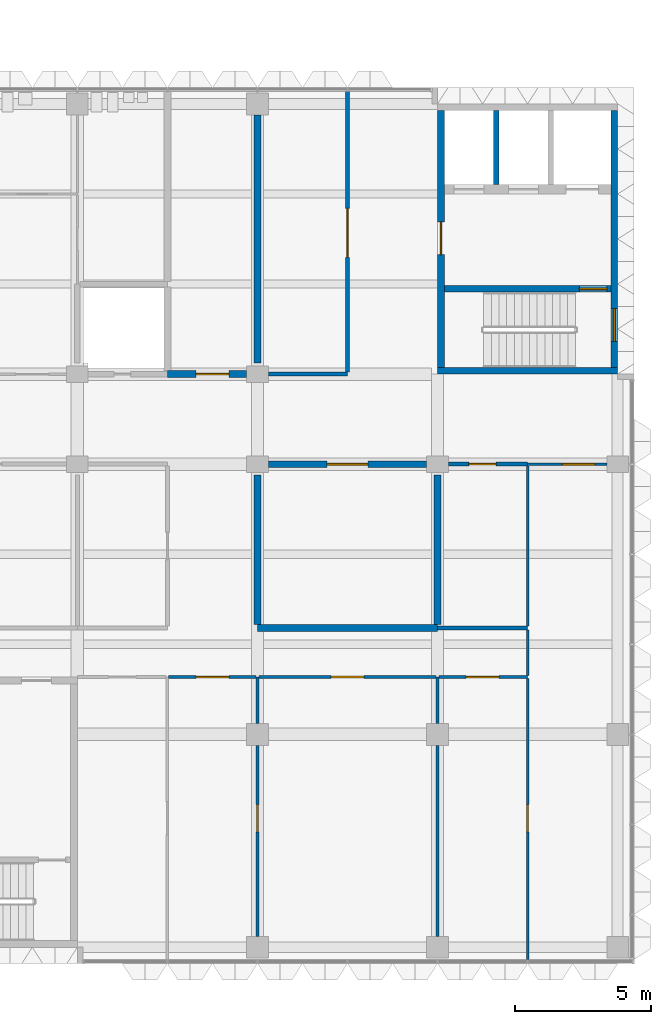
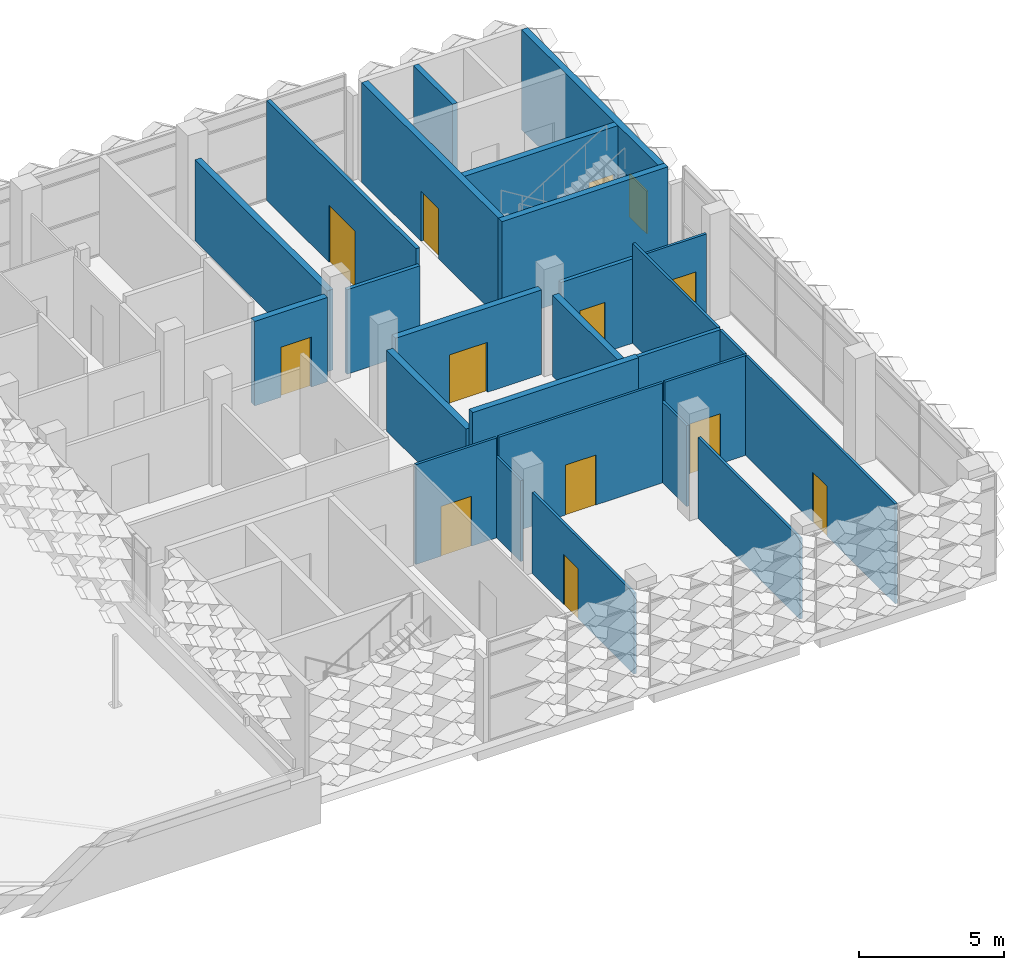
# One storey, part 13 of 39: 26 walls, 12 doors, 1 window, 13 openings.
"""IFC4 building model written with IfcOpenShell, lengths in metres."""

from ifc_helpers import new_model, si_unit, direction, frame, frame_2d, origin, place, context, subcontext, project, spatial, rectangle, extrude, material, layer, layer_set, type_object, element, fill, save


model = new_model("IFC4")

# Units and contexts
model_context = context("Model", 3, precision=1e-05, world=origin(), true_north=direction((0.0, 1.0)))
body_context = subcontext(model_context, "Body", "Model", "MODEL_VIEW")
ifc_project = project(units=[si_unit("LENGTHUNIT", "METRE"), si_unit("AREAUNIT", "SQUARE_METRE"), si_unit("VOLUMEUNIT", "CUBIC_METRE"), si_unit("PLANEANGLEUNIT", "RADIAN"), si_unit("MASSUNIT", "GRAM", prefix="KILO")], contexts=[model_context])

# Site, building, storey
site_placement = place(None, origin())
site = spatial("IfcSite", under=ifc_project, at=site_placement, CompositionType="ELEMENT")
building_placement = place(site_placement, origin())
building = spatial("IfcBuilding", under=site, at=building_placement, Name="Lantern Court Research Institute", CompositionType="ELEMENT")
storey_placement = place(building_placement, frame((0.0, 0.0, 27.89990234375)))
storey = spatial("IfcBuildingStorey", under=building, at=storey_placement, Name="L06", CompositionType="ELEMENT", Elevation=27.89990234375)

# Wall, opening, door
ifc_material_1 = material(Name="Insulated metal-faced clean-room panel")
ifc_layer_1 = layer(ifc_material_1, 0.10009765625)
ifc_layer_set_1 = layer_set([ifc_layer_1], Name="Insulated metal-faced clean-room panel")
wall_type_1 = type_object("IfcWallType", Name="Clean-room panel 100 EI 30", PredefinedType="PARTITIONING", material=ifc_layer_set_1)
wall_1_placement = place(storey_placement, frame((78.800048828125, 9.89990234375, 0.0), z_axis=(0.0, 0.0, 1.0), x_axis=(-1.0, 0.0, 0.0)))
wall_1 = element("IfcWall", 1, at=wall_1_placement, inside=storey, type_object=wall_type_1, Name="Clean-room panel 100 EI 30", PredefinedType="PARTITIONING", context=body_context, shape_type="SweptSolid", body=[
    extrude(rectangle(XDim=2.900146484375, YDim=0.10009765625, at=frame_2d((1.4501953125, 0.0))), origin(), (0.0, 0.0, 1.0), 3.550048828125),
])
opening_1_placement = place(wall_1_placement, frame((0.425048828125, 0.0, 0.0)))
opening_1 = element("IfcOpeningElement", 2, at=opening_1_placement, cuts=wall_1, Name="Opening D5619", PredefinedType="OPENING", context=body_context, shape_type="SweptSolid", body=[
    extrude(rectangle(XDim=1.199951171875, YDim=2.10009765625, at=frame_2d((0.60009765625, 1.050048828125))), frame((0.0, 0.06005859375, 0.0), z_axis=(0.0, -1.0, 0.0), x_axis=(1.0, 0.0, 0.0)), (0.0, 0.0, 1.0), 0.1201171875),
])
ifc_material_2 = material(Name="Solid-core timber door leaf", Category="wood")
ifc_layer_2 = layer(ifc_material_2, 0.06005859375)
ifc_layer_set_2 = layer_set([ifc_layer_2], Name="Solid-core timber door leaf")
door_type_1 = type_object("IfcDoorType", Name="Clean room emergency exit door 1200 x 2100 single FD60", OperationType="NOTDEFINED", PredefinedType="DOOR", material=ifc_layer_set_2)
door_1_placement = place(opening_1_placement, origin())
door_1 = element("IfcDoor", 3, at=door_1_placement, inside=storey, type_object=door_type_1, Name="Door D5619", OperationType="SINGLE_SWING_RIGHT", OverallHeight=2.10009765625, OverallWidth=1.199951171875, PredefinedType="DOOR", context=body_context, shape_type="SweptSolid", body=[
    extrude(rectangle(XDim=1.199951171875, YDim=2.10009765625, at=frame_2d((0.60009765625, 1.050048828125))), frame((0.0, 0.030029296875, 0.0), z_axis=(0.0, -1.0, 0.0), x_axis=(1.0, 0.0, 0.0)), (0.0, 0.0, 1.0), 0.06005859375),
])
fill(opening_1, door_1)

wall_2_placement = place(storey_placement, frame((66.0, -0.39990234375, 0.0), z_axis=(0.0, 0.0, 1.0), x_axis=(0.0, -1.0, 0.0)))
wall_2 = element("IfcWall", 4, at=wall_2_placement, inside=storey, type_object=wall_type_1, Name="Clean-room panel 100 EI 30", PredefinedType="PARTITIONING", context=body_context, shape_type="SweptSolid", body=[
    extrude(rectangle(XDim=7.0, YDim=0.10009765625, at=frame_2d((3.5, 0.0))), origin(), (0.0, 0.0, 1.0), 3.400146484375),
])
opening_2_placement = place(wall_2_placement, frame((2.175048828125, 0.0, 0.0)))
opening_2 = element("IfcOpeningElement", 5, at=opening_2_placement, cuts=wall_2, Name="Opening D5613", PredefinedType="OPENING", context=body_context, shape_type="SweptSolid", body=[
    extrude(rectangle(XDim=1.0, YDim=2.10009765625, at=frame_2d((0.5, 1.050048828125))), frame((0.0, 0.06005859375, 0.0), z_axis=(0.0, -1.0, 0.0), x_axis=(1.0, 0.0, 0.0)), (0.0, 0.0, 1.0), 0.1201171875),
])
ifc_material_3 = material(Name="Solid-core timber door leaf with vision panel", Category="wood")
ifc_layer_3 = layer(ifc_material_3, 0.053955078125)
ifc_layer_set_3 = layer_set([ifc_layer_3], Name="Solid-core timber door leaf with vision panel")
door_type_2 = type_object("IfcDoorType", Name="Clean room door 1000 x 2100 single FD30S", OperationType="NOTDEFINED", PredefinedType="DOOR", material=ifc_layer_set_3)
door_2_placement = place(opening_2_placement, origin())
door_2 = element("IfcDoor", 6, at=door_2_placement, inside=storey, type_object=door_type_2, Name="Door D5613", OperationType="SINGLE_SWING_RIGHT", OverallHeight=2.10009765625, OverallWidth=1.0, PredefinedType="DOOR", context=body_context, shape_type="SweptSolid", body=[
    extrude(rectangle(XDim=1.0, YDim=2.10009765625, at=frame_2d((0.5, 1.050048828125))), frame((0.0, 0.02685546875, 0.0), z_axis=(0.0, -1.0, 0.0), x_axis=(1.0, 0.0, 0.0)), (0.0, 0.0, 1.0), 0.053955078125),
])
fill(opening_2, door_2)

# Wall
wall_3_placement = place(storey_placement, frame((66.0, 0.39990234375, 0.0), z_axis=(0.0, 0.0, 1.0), x_axis=(0.0, 1.0, 0.0)))
element("IfcWall", 7, at=wall_3_placement, inside=storey, type_object=wall_type_1, Name="Clean-room panel 100 EI 30", PredefinedType="PARTITIONING", context=body_context, shape_type="SweptSolid", body=[
    extrude(rectangle(XDim=1.7001953125, YDim=0.10009765625, at=frame_2d((0.85009765625, 0.0))), origin(), (0.0, 0.0, 1.0), 3.400146484375),
])

# Wall, opening, door
wall_4_placement = place(storey_placement, frame((65.949951171875, 2.10009765625, 0.0), z_axis=(0.0, 0.0, 1.0), x_axis=(-1.0, 0.0, 0.0)))
wall_4 = element("IfcWall", 8, at=wall_4_placement, inside=storey, type_object=wall_type_1, Name="Clean-room panel 100 EI 30", PredefinedType="PARTITIONING", context=body_context, shape_type="SweptSolid", body=[
    extrude(rectangle(XDim=3.199951171875, YDim=0.10009765625, at=frame_2d((1.60009765625, 0.0))), origin(), (0.0, 0.0, 1.0), 4.2001953125),
])
opening_3_placement = place(wall_4_placement, frame((1.0, 0.0, 0.0)))
opening_3 = element("IfcOpeningElement", 9, at=opening_3_placement, cuts=wall_4, Name="Opening D5611", PredefinedType="OPENING", context=body_context, shape_type="SweptSolid", body=[
    extrude(rectangle(XDim=1.199951171875, YDim=2.10009765625, at=frame_2d((0.60009765625, 1.050048828125))), frame((0.0, 0.06005859375, 0.0), z_axis=(0.0, -1.0, 0.0), x_axis=(1.0, 0.0, 0.0)), (0.0, 0.0, 1.0), 0.1201171875),
])
ifc_material_4 = material(Name="Solid-core timber door leaf", Category="wood")
ifc_layer_4 = layer(ifc_material_4, 0.053955078125)
ifc_layer_set_4 = layer_set([ifc_layer_4], Name="Solid-core timber door leaf")
door_type_3 = type_object("IfcDoorType", Name="Sealed airlock door 1200 x 2100 single FD30S", OperationType="NOTDEFINED", PredefinedType="DOOR", material=ifc_layer_set_4)
door_3_placement = place(opening_3_placement, origin())
door_3 = element("IfcDoor", 10, at=door_3_placement, inside=storey, type_object=door_type_3, Name="Door D5611", OperationType="SINGLE_SWING_LEFT", OverallHeight=2.10009765625, OverallWidth=1.199951171875, PredefinedType="DOOR", context=body_context, shape_type="SweptSolid", body=[
    extrude(rectangle(XDim=1.199951171875, YDim=2.10009765625, at=frame_2d((0.60009765625, 1.050048828125))), frame((0.0, 0.02685546875, 0.0), z_axis=(0.0, -1.0, 0.0), x_axis=(1.0, 0.0, 0.0)), (0.0, 0.0, 1.0), 0.053955078125),
])
fill(opening_3, door_3)

# Walls
wall_5_placement = place(storey_placement, frame((72.60009765625, -7.39990234375, 0.0), z_axis=(0.0, 0.0, 1.0), x_axis=(0.0, 1.0, 0.0)))
element("IfcWall", 11, at=wall_5_placement, inside=storey, type_object=wall_type_1, Name="Clean-room panel 100 EI 30", PredefinedType="PARTITIONING", context=body_context, shape_type="SweptSolid", body=[
    extrude(rectangle(XDim=7.0, YDim=0.10009765625, at=frame_2d((3.5, 0.0))), origin(), (0.0, 0.0, 1.0), 3.400146484375),
])
wall_6_placement = place(storey_placement, frame((72.60009765625, 0.39990234375, 0.0), z_axis=(0.0, 0.0, 1.0), x_axis=(0.0, 1.0, 0.0)))
element("IfcWall", 12, at=wall_6_placement, inside=storey, type_object=wall_type_1, Name="Clean-room panel 100 EI 30", PredefinedType="PARTITIONING", context=body_context, shape_type="SweptSolid", body=[
    extrude(rectangle(XDim=1.7001953125, YDim=0.10009765625, at=frame_2d((0.85009765625, 0.0))), origin(), (0.0, 0.0, 1.0), 3.400146484375),
])

# Wall, opening, door
wall_7_placement = place(storey_placement, frame((72.550048828125, 2.10009765625, 0.0), z_axis=(0.0, 0.0, 1.0), x_axis=(-1.0, 0.0, 0.0)))
wall_7 = element("IfcWall", 13, at=wall_7_placement, inside=storey, type_object=wall_type_1, Name="Clean-room panel 100 EI 30", PredefinedType="PARTITIONING", context=body_context, shape_type="SweptSolid", body=[
    extrude(rectangle(XDim=6.5, YDim=0.10009765625, at=frame_2d((3.25, 0.0))), origin(), (0.0, 0.0, 1.0), 4.2001953125),
])
opening_4_placement = place(wall_7_placement, frame((2.64990234375, 0.0, 0.0)))
opening_4 = element("IfcOpeningElement", 14, at=opening_4_placement, cuts=wall_7, Name="Opening D5612", PredefinedType="OPENING", context=body_context, shape_type="SweptSolid", body=[
    extrude(rectangle(XDim=1.199951171875, YDim=2.10009765625, at=frame_2d((0.60009765625, 1.050048828125))), frame((0.0, 0.06005859375, 0.0), z_axis=(0.0, -1.0, 0.0), x_axis=(1.0, 0.0, 0.0)), (0.0, 0.0, 1.0), 0.1201171875),
])
door_4_placement = place(opening_4_placement, origin())
door_4 = element("IfcDoor", 15, at=door_4_placement, inside=storey, type_object=door_type_1, Name="Door D5612", OperationType="SINGLE_SWING_LEFT", OverallHeight=2.10009765625, OverallWidth=1.199951171875, PredefinedType="DOOR", context=body_context, shape_type="SweptSolid", body=[
    extrude(rectangle(XDim=1.199951171875, YDim=2.10009765625, at=frame_2d((0.60009765625, 1.050048828125))), frame((0.0, 0.030029296875, 0.0), z_axis=(0.0, -1.0, 0.0), x_axis=(1.0, 0.0, 0.0)), (0.0, 0.0, 1.0), 0.06005859375),
])
fill(opening_4, door_4)

wall_8_placement = place(storey_placement, frame((75.89990234375, 2.10009765625, 0.0), z_axis=(0.0, 0.0, 1.0), x_axis=(-1.0, 0.0, 0.0)))
wall_8 = element("IfcWall", 16, at=wall_8_placement, inside=storey, type_object=wall_type_1, Name="Clean-room panel 100 EI 30", PredefinedType="PARTITIONING", context=body_context, shape_type="SweptSolid", body=[
    extrude(rectangle(XDim=3.25, YDim=0.10009765625, at=frame_2d((1.625, 0.0))), origin(), (0.0, 0.0, 1.0), 4.2001953125),
])
opening_5_placement = place(wall_8_placement, frame((1.050048828125, 0.0, 0.0)))
opening_5 = element("IfcOpeningElement", 17, at=opening_5_placement, cuts=wall_8, Name="Opening D5614", PredefinedType="OPENING", context=body_context, shape_type="SweptSolid", body=[
    extrude(rectangle(XDim=1.199951171875, YDim=2.10009765625, at=frame_2d((0.60009765625, 1.050048828125))), frame((0.0, 0.06005859375, 0.0), z_axis=(0.0, -1.0, 0.0), x_axis=(1.0, 0.0, 0.0)), (0.0, 0.0, 1.0), 0.1201171875),
])
door_5_placement = place(opening_5_placement, origin())
door_5 = element("IfcDoor", 18, at=door_5_placement, inside=storey, type_object=door_type_3, Name="Door D5614", OperationType="SINGLE_SWING_LEFT", OverallHeight=2.10009765625, OverallWidth=1.199951171875, PredefinedType="DOOR", context=body_context, shape_type="SweptSolid", body=[
    extrude(rectangle(XDim=1.199951171875, YDim=2.10009765625, at=frame_2d((0.60009765625, 1.050048828125))), frame((0.0, 0.02685546875, 0.0), z_axis=(0.0, -1.0, 0.0), x_axis=(1.0, 0.0, 0.0)), (0.0, 0.0, 1.0), 0.053955078125),
])
fill(opening_5, door_5)

wall_9_placement = place(storey_placement, frame((75.89990234375, 2.050048828125, 0.0), z_axis=(0.0, 0.0, 1.0), x_axis=(0.0, -1.0, 0.0)))
wall_9 = element("IfcWall", 19, at=wall_9_placement, inside=storey, type_object=wall_type_1, Name="Clean-room panel 100 EI 30", PredefinedType="PARTITIONING", context=body_context, shape_type="SweptSolid", body=[
    extrude(rectangle(XDim=10.300048828125, YDim=0.10009765625, at=frame_2d((5.14990234375, 0.0))), origin(), (0.0, 0.0, 1.0), 4.2001953125),
])
opening_6_placement = place(wall_9_placement, frame((4.625, 0.0, 0.0)))
opening_6 = element("IfcOpeningElement", 20, at=opening_6_placement, cuts=wall_9, Name="Opening D5620", PredefinedType="OPENING", context=body_context, shape_type="SweptSolid", body=[
    extrude(rectangle(XDim=1.0, YDim=2.10009765625, at=frame_2d((0.5, 1.050048828125))), frame((0.0, 0.06005859375, 0.0), z_axis=(0.0, -1.0, 0.0), x_axis=(1.0, 0.0, 0.0)), (0.0, 0.0, 1.0), 0.1201171875),
])
door_6_placement = place(opening_6_placement, origin())
door_6 = element("IfcDoor", 21, at=door_6_placement, inside=storey, type_object=door_type_2, Name="Door D5620", OperationType="SINGLE_SWING_RIGHT", OverallHeight=2.10009765625, OverallWidth=1.0, PredefinedType="DOOR", context=body_context, shape_type="SweptSolid", body=[
    extrude(rectangle(XDim=1.0, YDim=2.10009765625, at=frame_2d((0.5, 1.050048828125))), frame((0.0, 0.02685546875, 0.0), z_axis=(0.0, -1.0, 0.0), x_axis=(1.0, 0.0, 0.0)), (0.0, 0.0, 1.0), 0.053955078125),
])
fill(opening_6, door_6)

# Walls
wall_10_placement = place(storey_placement, frame((75.89990234375, 2.14990234375, 0.0), z_axis=(0.0, 0.0, 1.0), x_axis=(0.0, 1.0, 0.0)))
element("IfcWall", 22, at=wall_10_placement, inside=storey, type_object=wall_type_1, Name="Clean-room panel 100 EI 30", PredefinedType="PARTITIONING", context=body_context, shape_type="SweptSolid", body=[
    extrude(rectangle(XDim=1.675048828125, YDim=0.10009765625, at=frame_2d((0.83740234375, 0.0))), origin(), (0.0, 0.0, 1.0), 4.2001953125),
])
wall_11_placement = place(storey_placement, frame((75.89990234375, 3.97509765625, 0.0), z_axis=(0.0, 0.0, 1.0), x_axis=(0.0, 1.0, 0.0)))
element("IfcWall", 23, at=wall_11_placement, inside=storey, type_object=wall_type_1, Name="Clean-room panel 100 EI 30", PredefinedType="PARTITIONING", context=body_context, shape_type="SweptSolid", body=[
    extrude(rectangle(XDim=5.849853515625, YDim=0.10009765625, at=frame_2d((2.9248046875, 0.0))), origin(), (0.0, 0.0, 1.0), 4.2001953125),
])
ifc_material_5 = material(Name="Fire-rated gypsum board partition, mineral wool filled")
ifc_layer_5 = layer(ifc_material_5, 0.14990234375)
ifc_layer_set_5 = layer_set([ifc_layer_5], Name="Fire-rated gypsum board partition, mineral wool filled")
wall_type_2 = type_object("IfcWallType", Name="Laboratory partition 150 EI 60", PredefinedType="PARTITIONING", material=ifc_layer_set_5)
wall_12_placement = place(storey_placement, frame((69.300048828125, 13.199951171875, 0.0), z_axis=(0.0, 0.0, 1.0), x_axis=(-1.0, 0.0, 0.0)))
element("IfcWall", 24, at=wall_12_placement, inside=storey, type_object=wall_type_2, Name="Laboratory partition 150 EI 60", PredefinedType="PARTITIONING", context=body_context, shape_type="SweptSolid", body=[
    extrude(rectangle(XDim=2.900146484375, YDim=0.14990234375, at=frame_2d((1.4501953125, 0.0))), origin(), (0.0, 0.0, 1.0), 3.550048828125),
])

# Wall, opening, door
wall_13_placement = place(storey_placement, frame((73.0, 9.89990234375, 0.0), z_axis=(0.0, 0.0, 1.0), x_axis=(1.0, 0.0, 0.0)))
wall_13 = element("IfcWall", 25, at=wall_13_placement, inside=storey, type_object=wall_type_2, Name="Laboratory partition 150 EI 60", PredefinedType="PARTITIONING", context=body_context, shape_type="SweptSolid", body=[
    extrude(rectangle(XDim=2.89990234375, YDim=0.14990234375, at=frame_2d((1.449951171875, 0.0))), origin(), (0.0, 0.0, 1.0), 3.550048828125),
])
opening_7_placement = place(wall_13_placement, frame((0.75, 0.0, 0.0)))
opening_7 = element("IfcOpeningElement", 26, at=opening_7_placement, cuts=wall_13, Name="Opening D5618", PredefinedType="OPENING", context=body_context, shape_type="SweptSolid", body=[
    extrude(rectangle(XDim=1.0, YDim=2.10009765625, at=frame_2d((0.5, 1.050048828125))), frame((0.0, 0.0849609375, 0.0), z_axis=(0.0, -1.0, 0.0), x_axis=(1.0, 0.0, 0.0)), (0.0, 0.0, 1.0), 0.169921875),
])
ifc_material_6 = material(Name="Solid-core timber door leaf with vision panel", Category="wood")
ifc_layer_6 = layer(ifc_material_6, 0.053955078125)
ifc_layer_set_6 = layer_set([ifc_layer_6], Name="Solid-core timber door leaf with vision panel")
door_type_4 = type_object("IfcDoorType", Name="Laboratory door 1000 x 2100 single FD30S", OperationType="NOTDEFINED", PredefinedType="DOOR", material=ifc_layer_set_6)
door_7_placement = place(opening_7_placement, origin())
door_7 = element("IfcDoor", 27, at=door_7_placement, inside=storey, type_object=door_type_4, Name="Door D5618", OperationType="SINGLE_SWING_LEFT", OverallHeight=2.10009765625, OverallWidth=1.0, PredefinedType="DOOR", context=body_context, shape_type="SweptSolid", body=[
    extrude(rectangle(XDim=1.0, YDim=2.10009765625, at=frame_2d((0.5, 1.050048828125))), frame((0.0, 0.02685546875, 0.0), z_axis=(0.0, -1.0, 0.0), x_axis=(1.0, 0.0, 0.0)), (0.0, 0.0, 1.0), 0.053955078125),
])
fill(opening_7, door_7)

wall_14_placement = place(storey_placement, frame((69.300048828125, 23.550048828125, 0.0), z_axis=(0.0, 0.0, 1.0), x_axis=(0.0, -1.0, 0.0)))
wall_14 = element("IfcWall", 28, at=wall_14_placement, inside=storey, type_object=wall_type_2, Name="Laboratory partition 150 EI 60", PredefinedType="PARTITIONING", context=body_context, shape_type="SweptSolid", body=[
    extrude(rectangle(XDim=10.275146484375, YDim=0.14990234375, at=frame_2d((5.1376953125, 0.0))), origin(), (0.0, 0.0, 1.0), 4.2001953125),
])
opening_8_placement = place(wall_14_placement, frame((4.27490234375, 0.0, 0.0)))
opening_8 = element("IfcOpeningElement", 29, at=opening_8_placement, cuts=wall_14, Name="Opening D5608", PredefinedType="OPENING", context=body_context, shape_type="SweptSolid", body=[
    extrude(rectangle(XDim=1.800048828125, YDim=2.39990234375, at=frame_2d((0.89990234375, 1.199951171875))), frame((0.0, 0.0849609375, 0.0), z_axis=(0.0, -1.0, 0.0), x_axis=(1.0, 0.0, 0.0)), (0.0, 0.0, 1.0), 0.169921875),
])
ifc_material_7 = material(Name="Solid-core timber door leaf with vision panel", Category="wood")
ifc_layer_7 = layer(ifc_material_7, 0.053955078125)
ifc_layer_set_7 = layer_set([ifc_layer_7], Name="Solid-core timber door leaf with vision panel")
door_type_5 = type_object("IfcDoorType", Name="Laboratory equipment door 1800 x 2400 pair FD30S", OperationType="DOUBLE_DOOR_SINGLE_SWING", PredefinedType="DOOR", material=ifc_layer_set_7)
door_8_placement = place(opening_8_placement, origin())
door_8 = element("IfcDoor", 30, at=door_8_placement, inside=storey, type_object=door_type_5, Name="Door D5608", OperationType="DOUBLE_DOOR_SINGLE_SWING", OverallHeight=2.39990234375, OverallWidth=1.800048828125, PredefinedType="DOOR", context=body_context, shape_type="SweptSolid", body=[
    extrude(rectangle(XDim=1.800048828125, YDim=2.39990234375, at=frame_2d((0.89990234375, 1.199951171875))), frame((0.0, 0.02685546875, 0.0), z_axis=(0.0, -1.0, 0.0), x_axis=(1.0, 0.0, 0.0)), (0.0, 0.0, 1.0), 0.053955078125),
])
fill(opening_8, door_8)

# Wall
wall_15_placement = place(storey_placement, frame((75.89990234375, 3.89990234375, 0.0), z_axis=(0.0, 0.0, 1.0), x_axis=(-1.0, 0.0, 0.0)))
element("IfcWall", 31, at=wall_15_placement, inside=storey, type_object=wall_type_2, Name="Laboratory partition 150 EI 60", PredefinedType="PARTITIONING", context=body_context, shape_type="SweptSolid", body=[
    extrude(rectangle(XDim=3.2998046875, YDim=0.14990234375, at=frame_2d((1.64990234375, 0.0))), origin(), (0.0, 0.0, 1.0), 4.2001953125),
])

# Wall, opening, door
ifc_material_8 = material(Name="Fire-rated gypsum board partition, double stud, mineral wool filled")
ifc_layer_8 = layer(ifc_material_8, 0.25)
ifc_layer_set_8 = layer_set([ifc_layer_8], Name="Fire-rated gypsum board partition, double stud, mineral wool filled")
wall_type_3 = type_object("IfcWallType", Name="Plant compartment wall 250 EI 120", PredefinedType="PARTITIONING", material=ifc_layer_set_8)
wall_16_placement = place(storey_placement, frame((65.60009765625, 13.199951171875, 0.0), z_axis=(0.0, 0.0, 1.0), x_axis=(-1.0, 0.0, 0.0)))
wall_16 = element("IfcWall", 32, at=wall_16_placement, inside=storey, type_object=wall_type_3, Name="Plant compartment wall 250 EI 120", PredefinedType="PARTITIONING", context=body_context, shape_type="SweptSolid", body=[
    extrude(rectangle(XDim=2.900146484375, YDim=0.25, at=frame_2d((1.4501953125, 0.0))), origin(), (0.0, 0.0, 1.0), 3.550048828125),
])
opening_9_placement = place(wall_16_placement, frame((0.64990234375, 0.0, 0.0)))
opening_9 = element("IfcOpeningElement", 33, at=opening_9_placement, cuts=wall_16, Name="Opening D5607", PredefinedType="OPENING", context=body_context, shape_type="SweptSolid", body=[
    extrude(rectangle(XDim=1.199951171875, YDim=2.10009765625, at=frame_2d((0.60009765625, 1.050048828125))), frame((0.0, 0.135009765625, 0.0), z_axis=(0.0, -1.0, 0.0), x_axis=(1.0, 0.0, 0.0)), (0.0, 0.0, 1.0), 0.27001953125),
])
ifc_material_9 = material(Name="Solid-core timber door leaf", Category="wood")
ifc_layer_9 = layer(ifc_material_9, 0.06005859375)
ifc_layer_set_9 = layer_set([ifc_layer_9], Name="Solid-core timber door leaf")
door_type_6 = type_object("IfcDoorType", Name="Air handling plant door 1200 x 2100 single FD60", OperationType="NOTDEFINED", PredefinedType="DOOR", material=ifc_layer_set_9)
door_9_placement = place(opening_9_placement, origin())
door_9 = element("IfcDoor", 34, at=door_9_placement, inside=storey, type_object=door_type_6, Name="Door D5607", OperationType="SINGLE_SWING_LEFT", OverallHeight=2.10009765625, OverallWidth=1.199951171875, PredefinedType="DOOR", context=body_context, shape_type="SweptSolid", body=[
    extrude(rectangle(XDim=1.199951171875, YDim=2.10009765625, at=frame_2d((0.60009765625, 1.050048828125))), frame((0.0, 0.030029296875, 0.0), z_axis=(0.0, -1.0, 0.0), x_axis=(1.0, 0.0, 0.0)), (0.0, 0.0, 1.0), 0.06005859375),
])
fill(opening_9, door_9)

wall_17_placement = place(storey_placement, frame((66.39990234375, 9.89990234375, 0.0), z_axis=(0.0, 0.0, 1.0), x_axis=(1.0, 0.0, 0.0)))
wall_17 = element("IfcWall", 35, at=wall_17_placement, inside=storey, type_object=wall_type_3, Name="Plant compartment wall 250 EI 120", PredefinedType="PARTITIONING", context=body_context, shape_type="SweptSolid", body=[
    extrude(rectangle(XDim=5.800048828125, YDim=0.25, at=frame_2d((2.89990234375, 0.0))), origin(), (0.0, 0.0, 1.0), 3.550048828125),
])
opening_10_placement = place(wall_17_placement, frame((2.14990234375, 0.0, 0.0)))
opening_10 = element("IfcOpeningElement", 36, at=opening_10_placement, cuts=wall_17, Name="Opening D5617", PredefinedType="OPENING", context=body_context, shape_type="SweptSolid", body=[
    extrude(rectangle(XDim=1.5, YDim=2.10009765625, at=frame_2d((0.75, 1.050048828125))), frame((0.0, 0.135009765625, 0.0), z_axis=(0.0, -1.0, 0.0), x_axis=(1.0, 0.0, 0.0)), (0.0, 0.0, 1.0), 0.27001953125),
])
ifc_material_10 = material(Name="Solid-core timber door leaf", Category="wood")
ifc_layer_10 = layer(ifc_material_10, 0.06005859375)
ifc_layer_set_10 = layer_set([ifc_layer_10], Name="Solid-core timber door leaf")
door_type_7 = type_object("IfcDoorType", Name="Clean room utility door 1500 x 2100 pair FD60", OperationType="DOUBLE_DOOR_SINGLE_SWING", PredefinedType="DOOR", material=ifc_layer_set_10)
door_10_placement = place(opening_10_placement, origin())
door_10 = element("IfcDoor", 37, at=door_10_placement, inside=storey, type_object=door_type_7, Name="Door D5617", OperationType="DOUBLE_DOOR_SINGLE_SWING", OverallHeight=2.10009765625, OverallWidth=1.5, PredefinedType="DOOR", context=body_context, shape_type="SweptSolid", body=[
    extrude(rectangle(XDim=1.5, YDim=2.10009765625, at=frame_2d((0.75, 1.050048828125))), frame((0.0, 0.030029296875, 0.0), z_axis=(0.0, -1.0, 0.0), x_axis=(1.0, 0.0, 0.0)), (0.0, 0.0, 1.0), 0.06005859375),
])
fill(opening_10, door_10)

# Walls
wall_18_placement = place(storey_placement, frame((66.0, 13.60009765625, 0.0), z_axis=(0.0, 0.0, 1.0), x_axis=(0.0, 1.0, 0.0)))
element("IfcWall", 38, at=wall_18_placement, inside=storey, type_object=wall_type_3, Name="Plant compartment wall 250 EI 120", PredefinedType="PARTITIONING", context=body_context, shape_type="SweptSolid", body=[
    extrude(rectangle(XDim=9.099853515625, YDim=0.25, at=frame_2d((4.5498046875, 0.0))), origin(), (0.0, 0.0, 1.0), 3.400146484375),
])
wall_19_placement = place(storey_placement, frame((72.60009765625, 3.89990234375, 0.0), z_axis=(0.0, 0.0, 1.0), x_axis=(-1.0, 0.0, 0.0)))
element("IfcWall", 39, at=wall_19_placement, inside=storey, type_object=wall_type_3, Name="Plant compartment wall 250 EI 120", PredefinedType="PARTITIONING", context=body_context, shape_type="SweptSolid", body=[
    extrude(rectangle(XDim=6.60009765625, YDim=0.25, at=frame_2d((3.300048828125, 0.0))), origin(), (0.0, 0.0, 1.0), 4.2001953125),
])
for number, where, z_axis, x_axis, name in (
    (40, (66.0, 4.02490234375, 0.0), (0.0, 0.0, 1.0), (0.0, 1.0, 0.0), "Plant compartment wall 250 EI 120"),
    (41, (72.60009765625, 4.02490234375, 0.0), (0.0, 0.0, 1.0), (0.0, 1.0, 0.0), "Plant compartment wall 250 EI 120"),
):
    element("IfcWall", number, at=place(storey_placement, frame(where, z_axis=z_axis, x_axis=x_axis)), inside=storey, type_object=wall_type_3, Name=name, PredefinedType="PARTITIONING", context=body_context, shape_type="SweptSolid", body=[
        extrude(rectangle(XDim=5.47509765625, YDim=0.25, at=frame_2d((2.737548828125, 0.0))), origin(), (0.0, 0.0, 1.0), 3.400146484375),
    ])
ifc_material_11 = material(Name="Concrete C40/50", Category="concrete")
ifc_layer_11 = layer(ifc_material_11, 0.25)
ifc_layer_set_11 = layer_set([ifc_layer_11], Name="Concrete C40/50")
wall_type_4 = type_object("IfcWallType", Name="RC core wall 250", PredefinedType="SHEAR", material=ifc_layer_set_11)
wall_20_placement = place(storey_placement, frame((72.60009765625, 13.324951171875, 0.0), z_axis=(0.0, 0.0, 1.0), x_axis=(1.0, 0.0, 0.0)))
element("IfcWall", 42, at=wall_20_placement, inside=storey, type_object=wall_type_4, Name="South wall of core TC-E", PredefinedType="SHEAR", context=body_context, shape_type="SweptSolid", body=[
    extrude(rectangle(XDim=6.599853515625, YDim=0.25, at=frame_2d((3.2998046875, 0.0))), origin(), (0.0, 0.0, 1.0), 4.2001953125),
])

# Wall, opening, door
wall_21_placement = place(storey_placement, frame((72.72509765625, 13.449951171875, 0.0), z_axis=(0.0, 0.0, 1.0), x_axis=(0.0, 1.0, 0.0)))
wall_21 = element("IfcWall", 43, at=wall_21_placement, inside=storey, type_object=wall_type_4, Name="West wall of core TC-E", PredefinedType="SHEAR", context=body_context, shape_type="SweptSolid", body=[
    extrude(rectangle(XDim=9.400146484375, YDim=0.25, at=frame_2d((4.7001953125, 0.0))), origin(), (0.0, 0.0, 1.0), 4.2001953125),
])
opening_11_placement = place(wall_21_placement, frame((4.125, 0.0, 0.0)))
opening_11 = element("IfcOpeningElement", 44, at=opening_11_placement, cuts=wall_21, Name="Opening D7177", PredefinedType="OPENING", context=body_context, shape_type="SweptSolid", body=[
    extrude(rectangle(XDim=1.199951171875, YDim=2.10009765625, at=frame_2d((0.60009765625, 1.050048828125))), frame((0.0, 0.135009765625, 0.0), z_axis=(0.0, -1.0, 0.0), x_axis=(1.0, 0.0, 0.0)), (0.0, 0.0, 1.0), 0.27001953125),
])
ifc_material_12 = material(Name="Steel fire door leaf with smoke seals", Category="steel")
door_type_8 = type_object("IfcDoorType", Name="Door 1200 x 2100 fire rated FD60S", OperationType="NOTDEFINED", PredefinedType="DOOR", material=ifc_material_12)
door_11_placement = place(opening_11_placement, origin())
door_11 = element("IfcDoor", 45, at=door_11_placement, inside=storey, type_object=door_type_8, Name="Lobby door", OperationType="SINGLE_SWING_LEFT", OverallHeight=2.10009765625, OverallWidth=1.199951171875, PredefinedType="DOOR", context=body_context, shape_type="SweptSolid", body=[
    extrude(rectangle(XDim=1.199951171875, YDim=2.10009765625, at=frame_2d((0.60009765625, 1.050048828125))), frame((0.0, 0.02490234375, 0.0), z_axis=(0.0, -1.0, 0.0), x_axis=(1.0, 0.0, 0.0)), (0.0, 0.0, 1.0), 0.050048828125),
])
fill(opening_11, door_11)

# Wall, opening, window
ifc_material_13 = material(Name="Concrete C40/50", Category="concrete")
ifc_layer_12 = layer(ifc_material_13, 0.25)
ifc_layer_set_12 = layer_set([ifc_layer_12], Name="Concrete C40/50")
wall_type_5 = type_object("IfcWallType", Name="RC core wall 250 facade", PredefinedType="SHEAR", material=ifc_layer_set_12)
wall_22_placement = place(storey_placement, frame((79.074951171875, 13.449951171875, 0.0), z_axis=(0.0, 0.0, 1.0), x_axis=(0.0, 1.0, 0.0)))
wall_22 = element("IfcWall", 46, at=wall_22_placement, inside=storey, type_object=wall_type_5, Name="East wall of core TC-E", PredefinedType="SHEAR", context=body_context, shape_type="SweptSolid", body=[
    extrude(rectangle(XDim=9.400146484375, YDim=0.25, at=frame_2d((4.7001953125, 0.0))), origin(), (0.0, 0.0, 1.0), 4.2001953125),
])
opening_12_placement = place(wall_22_placement, frame((0.949951171875, 0.0, 0.699951171875)))
opening_12 = element("IfcOpeningElement", 47, at=opening_12_placement, cuts=wall_22, Name="Opening W7", PredefinedType="OPENING", context=body_context, shape_type="SweptSolid", body=[
    extrude(rectangle(XDim=1.199951171875, YDim=1.800048828125, at=frame_2d((0.60009765625, 0.89990234375))), frame((0.0, 0.135009765625, 0.0), z_axis=(0.0, -1.0, 0.0), x_axis=(1.0, 0.0, 0.0)), (0.0, 0.0, 1.0), 0.27001953125),
])
ifc_material_14 = material(Name="Aluminium alloy 6063-T6 frame with laminated glass", Category="aluminium")
window_type = type_object("IfcWindowType", Name="Stair window 1200 x 1800", PartitioningType="SINGLE_PANEL", PredefinedType="WINDOW", material=ifc_material_14)
window_placement = place(opening_12_placement, origin())
window = element("IfcWindow", 48, at=window_placement, inside=storey, type_object=window_type, Name="Stair window", OverallHeight=1.800048828125, OverallWidth=1.199951171875, PartitioningType="SINGLE_PANEL", PredefinedType="WINDOW", context=body_context, shape_type="SweptSolid", body=[
    extrude(rectangle(XDim=1.199951171875, YDim=1.800048828125, at=frame_2d((0.60009765625, 0.89990234375))), frame((0.0, 0.030029296875, 0.0), z_axis=(0.0, -1.0, 0.0), x_axis=(1.0, 0.0, 0.0)), (0.0, 0.0, 1.0), 0.06005859375),
])
fill(opening_12, window)

# Wall
ifc_material_15 = material(Name="Concrete C40/50", Category="concrete")
ifc_layer_13 = layer(ifc_material_15, 0.199951171875)
ifc_layer_set_13 = layer_set([ifc_layer_13], Name="Concrete C40/50")
wall_type_6 = type_object("IfcWallType", Name="RC shaft wall 200", PredefinedType="SHEAR", material=ifc_layer_set_13)
wall_23_placement = place(storey_placement, frame((74.75, 20.14990234375, 0.0), z_axis=(0.0, 0.0, 1.0), x_axis=(0.0, 1.0, 0.0)))
element("IfcWall", 49, at=wall_23_placement, inside=storey, type_object=wall_type_6, Name="Lift shaft wall of core TC-E", PredefinedType="SHEAR", context=body_context, shape_type="SweptSolid", body=[
    extrude(rectangle(XDim=2.7001953125, YDim=0.199951171875, at=frame_2d((1.35009765625, 0.0))), origin(), (0.0, 0.0, 1.0), 4.2001953125),
])

# Wall, opening, door
ifc_material_16 = material(Name="Concrete C40/50", Category="concrete")
ifc_layer_14 = layer(ifc_material_16, 0.25)
ifc_layer_set_14 = layer_set([ifc_layer_14], Name="Concrete C40/50")
wall_type_7 = type_object("IfcWallType", Name="RC shaft wall 250", PredefinedType="SHEAR", material=ifc_layer_set_14)
wall_24_placement = place(storey_placement, frame((72.85009765625, 16.324951171875, 0.0), z_axis=(0.0, 0.0, 1.0), x_axis=(1.0, 0.0, 0.0)))
wall_24 = element("IfcWall", 50, at=wall_24_placement, inside=storey, type_object=wall_type_7, Name="Stair wall of core TC-E", PredefinedType="SHEAR", context=body_context, shape_type="SweptSolid", body=[
    extrude(rectangle(XDim=6.099853515625, YDim=0.25, at=frame_2d((3.0498046875, 0.0))), origin(), (0.0, 0.0, 1.0), 4.2001953125),
])
opening_13_placement = place(wall_24_placement, frame((4.949951171875, 0.0, 0.0)))
opening_13 = element("IfcOpeningElement", 51, at=opening_13_placement, cuts=wall_24, Name="Opening D7178", PredefinedType="OPENING", context=body_context, shape_type="SweptSolid", body=[
    extrude(rectangle(XDim=1.0, YDim=2.199951171875, at=frame_2d((0.5, 1.10009765625))), frame((0.0, 0.135009765625, 0.0), z_axis=(0.0, -1.0, 0.0), x_axis=(1.0, 0.0, 0.0)), (0.0, 0.0, 1.0), 0.27001953125),
])
ifc_material_17 = material(Name="Steel fire door leaf with smoke seals", Category="steel")
door_type_9 = type_object("IfcDoorType", Name="Door 1000 x 2200 fire rated FD60S", OperationType="NOTDEFINED", PredefinedType="DOOR", material=ifc_material_17)
door_12_placement = place(opening_13_placement, origin())
door_12 = element("IfcDoor", 52, at=door_12_placement, inside=storey, type_object=door_type_9, Name="Stair door", OperationType="SINGLE_SWING_RIGHT", OverallHeight=2.199951171875, OverallWidth=1.0, PredefinedType="DOOR", context=body_context, shape_type="SweptSolid", body=[
    extrude(rectangle(XDim=1.0, YDim=2.199951171875, at=frame_2d((0.5, 1.10009765625))), frame((0.0, 0.02490234375, 0.0), z_axis=(0.0, -1.0, 0.0), x_axis=(1.0, 0.0, 0.0)), (0.0, 0.0, 1.0), 0.050048828125),
])
fill(opening_13, door_12)

save(model, "model.ifc")
